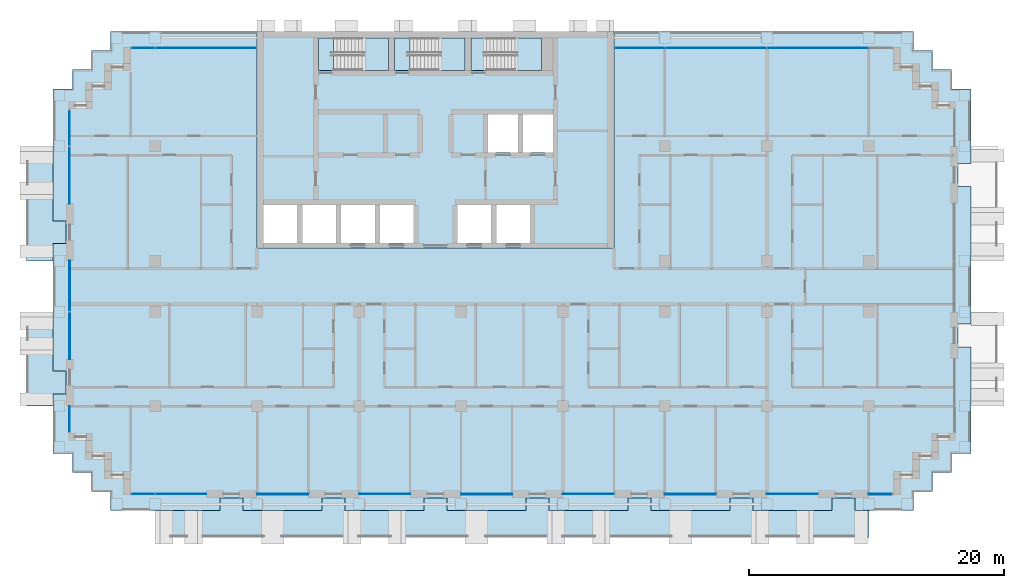
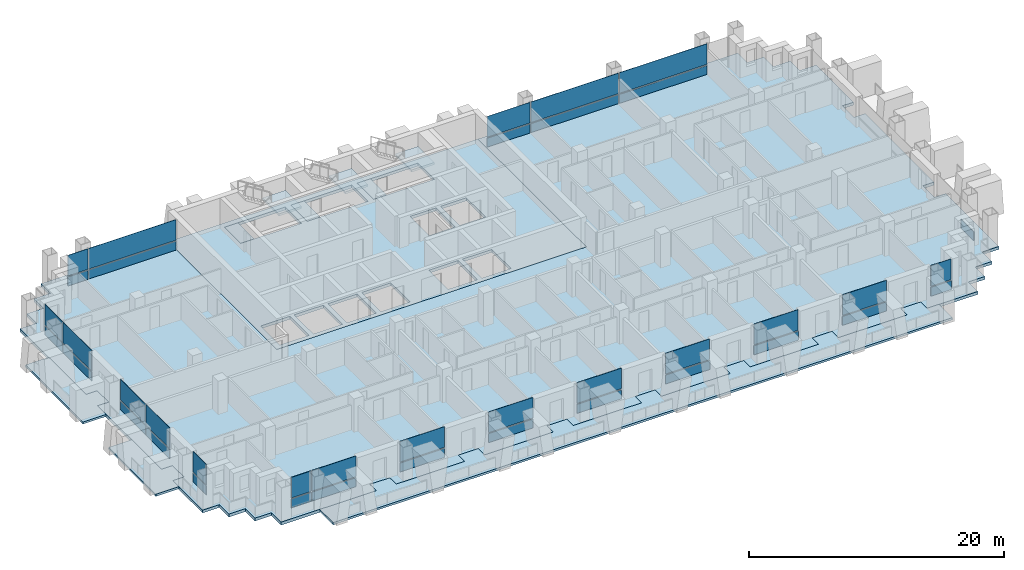
# One storey, part 6 of 17: 39 plates, 11 slabs, 17 elements without a shape of their own.
"""IFC4 building model written with IfcOpenShell, lengths in metres."""

from ifc_helpers import new_model, si_unit, direction, frame, origin, origin_2d, place, context, subcontext, project, spatial, polyline, rectangle, outline, extrude, material, layer, layer_set, type_object, element, aggregate, save


model = new_model("IFC4")

# Units and contexts
model_context = context("Model", 3, precision=1e-05, world=origin(), true_north=direction((0.0, 1.0)))
body_context = subcontext(model_context, "Body", "Model", "MODEL_VIEW")
ifc_project = project(units=[si_unit("LENGTHUNIT", "METRE"), si_unit("AREAUNIT", "SQUARE_METRE"), si_unit("VOLUMEUNIT", "CUBIC_METRE"), si_unit("PLANEANGLEUNIT", "RADIAN"), si_unit("MASSUNIT", "GRAM", prefix="KILO")], contexts=[model_context])

# Site, building, storey
site_placement = place(None, origin())
site = spatial("IfcSite", under=ifc_project, at=site_placement, CompositionType="ELEMENT")
building_placement = place(site_placement, origin())
building = spatial("IfcBuilding", under=site, at=building_placement, Name="Vidyagriha Tower", CompositionType="ELEMENT")
storey_placement = place(building_placement, frame((0.0, 0.0, 77.5)))
storey = spatial("IfcBuildingStorey", under=building, at=storey_placement, Name="L19", CompositionType="ELEMENT", Elevation=77.5)

# Curtain wall, plate
ifc_material_1 = material(Name="Aluminium and glass curtain wall", Category="aluminium")
curtain_wall_type = type_object("IfcCurtainWallType", Name="Dwelling skin unitised curtain wall", PredefinedType="USERDEFINED", material=ifc_material_1)
curtain_wall_1_placement = place(storey_placement, origin())
curtain_wall_1 = element("IfcCurtainWall", 1, at=curtain_wall_1_placement, inside=storey, type_object=curtain_wall_type, Name="CW1 dwelling skin", ObjectType="UNITISED", PredefinedType="USERDEFINED")
ifc_material_2 = material(Name="Glass dark ceramic-fritted spandrel", Category="glass")
ifc_layer_1 = layer(ifc_material_2, 0.0400390625)
ifc_layer_set_1 = layer_set([ifc_layer_1], Name="Glass dark ceramic-fritted spandrel")
plate_type_1 = type_object("IfcPlateType", Name="Ceramic-fritted spandrel panel", PredefinedType="CURTAIN_PANEL", material=ifc_layer_set_1)
plate_1_placement = place(storey_placement, frame((22.0, 18.699951171875, 0.0), z_axis=(0.0, 0.0, 1.0), x_axis=(-1.0, 0.0, 0.0)))
plate_1 = element("IfcPlate", 2, at=plate_1_placement, type_object=plate_type_1, Name="CW1 panel 3.1", PredefinedType="CURTAIN_PANEL", context=body_context, shape_type="SweptSolid", body=[
    extrude(rectangle(XDim=7.929931640625, YDim=0.0400390625, at=origin_2d()), origin(), (0.0, 0.0, 1.0), 0.85009765625),
])

curtain_wall_2_placement = place(storey_placement, origin())
curtain_wall_2 = element("IfcCurtainWall", 3, at=curtain_wall_2_placement, inside=storey, type_object=curtain_wall_type, Name="CW1 dwelling skin", ObjectType="UNITISED", PredefinedType="USERDEFINED")
plate_2_placement = place(storey_placement, frame((-18.017578125, 18.699951171875, 0.0), z_axis=(0.0, 0.0, 1.0), x_axis=(-1.0, 0.0, 0.0)))
plate_2 = element("IfcPlate", 4, at=plate_2_placement, type_object=plate_type_1, Name="CW1 panel 1.1", PredefinedType="CURTAIN_PANEL", context=body_context, shape_type="SweptSolid", body=[
    extrude(rectangle(XDim=7.89501953125, YDim=0.0400390625, at=origin_2d()), origin(), (0.0, 0.0, 1.0), 0.85009765625),
])

# Curtain wall, plates
curtain_wall_3_placement = place(storey_placement, origin())
curtain_wall_3 = element("IfcCurtainWall", 5, at=curtain_wall_3_placement, inside=storey, type_object=curtain_wall_type, Name="CW1 dwelling skin", ObjectType="UNITISED", PredefinedType="USERDEFINED")
plate_3_placement = place(storey_placement, frame((-28.699951171875, 12.4326171875, 0.0), z_axis=(0.0, 0.0, 1.0), x_axis=(0.0, -1.0, 0.0)))
plate_3 = element("IfcPlate", 6, at=plate_3_placement, type_object=plate_type_1, Name="CW1 panel 1.1", PredefinedType="CURTAIN_PANEL", context=body_context, shape_type="SweptSolid", body=[
    extrude(rectangle(XDim=2.794921875, YDim=0.0400390625, at=origin_2d()), origin(), (0.0, 0.0, 1.0), 0.85009765625),
])
plate_4_placement = place(storey_placement, frame((-28.699951171875, 8.732421875, 0.0), z_axis=(0.0, 0.0, 1.0), x_axis=(0.0, -1.0, 0.0)))
plate_4 = element("IfcPlate", 7, at=plate_4_placement, type_object=plate_type_1, Name="CW1 panel 2.1", PredefinedType="CURTAIN_PANEL", context=body_context, shape_type="SweptSolid", body=[
    extrude(rectangle(XDim=4.465087890625, YDim=0.0400390625, at=origin_2d()), origin(), (0.0, 0.0, 1.0), 0.85009765625),
])

# Curtain wall, plate
curtain_wall_4_placement = place(storey_placement, origin())
curtain_wall_4 = element("IfcCurtainWall", 8, at=curtain_wall_4_placement, inside=storey, type_object=curtain_wall_type, Name="CW1 dwelling skin", ObjectType="UNITISED", PredefinedType="USERDEFINED")
plate_5_placement = place(storey_placement, frame((-28.699951171875, -10.4150390625, 0.0), z_axis=(0.0, 0.0, 1.0), x_axis=(0.0, -1.0, 0.0)))
plate_5 = element("IfcPlate", 9, at=plate_5_placement, type_object=plate_type_1, Name="CW1 panel 1.1", PredefinedType="CURTAIN_PANEL", context=body_context, shape_type="SweptSolid", body=[
    extrude(rectangle(XDim=2.030029296875, YDim=0.0400390625, at=origin_2d()), origin(), (0.0, 0.0, 1.0), 0.85009765625),
])

# Curtain wall, plates
curtain_wall_5_placement = place(storey_placement, origin())
curtain_wall_5 = element("IfcCurtainWall", 10, at=curtain_wall_5_placement, inside=storey, type_object=curtain_wall_type, Name="CW1 dwelling skin", ObjectType="UNITISED", PredefinedType="USERDEFINED")
plate_6_placement = place(storey_placement, frame((-22.9326171875, -16.300048828125, 0.0)))
plate_6 = element("IfcPlate", 11, at=plate_6_placement, type_object=plate_type_1, Name="CW1 panel 1.1", PredefinedType="CURTAIN_PANEL", context=body_context, shape_type="SweptSolid", body=[
    extrude(rectangle(XDim=1.794921875, YDim=0.0400390625, at=origin_2d()), origin(), (0.0, 0.0, 1.0), 0.85009765625),
])
plate_7_placement = place(storey_placement, frame((-19.982421875, -16.300048828125, 0.0)))
plate_7 = element("IfcPlate", 12, at=plate_7_placement, type_object=plate_type_1, Name="CW1 panel 2.1", PredefinedType="CURTAIN_PANEL", context=body_context, shape_type="SweptSolid", body=[
    extrude(rectangle(XDim=3.965087890625, YDim=0.0400390625, at=origin_2d()), origin(), (0.0, 0.0, 1.0), 0.85009765625),
])

# Curtain wall, plate
curtain_wall_6_placement = place(storey_placement, origin())
curtain_wall_6 = element("IfcCurtainWall", 13, at=curtain_wall_6_placement, inside=storey, type_object=curtain_wall_type, Name="CW1 dwelling skin", ObjectType="UNITISED", PredefinedType="USERDEFINED")
plate_8_placement = place(storey_placement, frame((-4.0, -16.300048828125, 0.0)))
plate_8 = element("IfcPlate", 14, at=plate_8_placement, type_object=plate_type_1, Name="CW1 panel 1.1", PredefinedType="CURTAIN_PANEL", context=body_context, shape_type="SweptSolid", body=[
    extrude(rectangle(XDim=4.0, YDim=0.0400390625, at=origin_2d()), origin(), (0.0, 0.0, 1.0), 0.85009765625),
])

curtain_wall_7_placement = place(storey_placement, origin())
curtain_wall_7 = element("IfcCurtainWall", 15, at=curtain_wall_7_placement, inside=storey, type_object=curtain_wall_type, Name="CW1 dwelling skin", ObjectType="UNITISED", PredefinedType="USERDEFINED")
plate_9_placement = place(storey_placement, frame((12.0, -16.300048828125, 0.0)))
plate_9 = element("IfcPlate", 16, at=plate_9_placement, type_object=plate_type_1, Name="CW1 panel 1.1", PredefinedType="CURTAIN_PANEL", context=body_context, shape_type="SweptSolid", body=[
    extrude(rectangle(XDim=4.0, YDim=0.0400390625, at=origin_2d()), origin(), (0.0, 0.0, 1.0), 0.85009765625),
])

curtain_wall_8_placement = place(storey_placement, origin())
curtain_wall_8 = element("IfcCurtainWall", 17, at=curtain_wall_8_placement, inside=storey, type_object=curtain_wall_type, Name="CW1 dwelling skin", ObjectType="UNITISED", PredefinedType="USERDEFINED")
plate_10_placement = place(storey_placement, frame((28.0, -16.300048828125, 0.0)))
plate_10 = element("IfcPlate", 18, at=plate_10_placement, type_object=plate_type_1, Name="CW1 panel 1.1", PredefinedType="CURTAIN_PANEL", context=body_context, shape_type="SweptSolid", body=[
    extrude(rectangle(XDim=4.0, YDim=0.0400390625, at=origin_2d()), origin(), (0.0, 0.0, 1.0), 0.85009765625),
])

curtain_wall_9_placement = place(storey_placement, origin())
curtain_wall_9 = element("IfcCurtainWall", 19, at=curtain_wall_9_placement, inside=storey, type_object=curtain_wall_type, Name="CW1 dwelling skin", ObjectType="UNITISED", PredefinedType="USERDEFINED")
plate_11_placement = place(storey_placement, frame((40.699951171875, -10.4326171875, 0.0), z_axis=(0.0, 0.0, 1.0), x_axis=(0.0, 1.0, 0.0)))
plate_11 = element("IfcPlate", 20, at=plate_11_placement, type_object=plate_type_1, Name="CW1 panel 1.1", PredefinedType="CURTAIN_PANEL", context=body_context, shape_type="SweptSolid", body=[
    extrude(rectangle(XDim=1.9951171875, YDim=0.0400390625, at=origin_2d()), origin(), (0.0, 0.0, 1.0), 0.85009765625),
])
aggregate(curtain_wall_9, [plate_11])

# Slab
ifc_material_3 = material(Name="Concrete C60/75", Category="concrete")
ifc_layer_2 = layer(ifc_material_3, 0.280029296875)
ifc_layer_set_2 = layer_set([ifc_layer_2], Name="Concrete C60/75")
slab_type_1 = type_object("IfcSlabType", Name="Core floor slab 280 mm", PredefinedType="FLOOR", material=ifc_layer_set_2)
slab_1_placement = place(storey_placement, frame((0.0, 0.0, -0.280029296875)))
element("IfcSlab", 21, at=slab_1_placement, inside=storey, type_object=slab_type_1, Name="L19 core floor 1", PredefinedType="FLOOR", context=body_context, shape_type="SweptSolid", body=[
    extrude(outline(polyline([(-14.0, 3.0), (-14.0, 20.0), (14.0, 20.0), (14.0, 3.0), (-14.0, 3.0)]), holes=[polyline([(9.199951171875, 13.5), (6.86669921875, 13.5), (6.86669921875, 10.5), (9.199951171875, 10.5), (9.199951171875, 13.5)]), polyline([(4.0, 19.5), (2.800048828125, 19.5), (2.800048828125, 16.949951171875), (4.0, 16.949951171875), (8.300048828125, 16.949951171875), (8.300048828125, 19.5), (4.0, 19.5)]), polyline([(7.4111328125, 6.39990234375), (4.7666015625, 6.39990234375), (4.7666015625, 3.39990234375), (7.4111328125, 3.39990234375), (7.4111328125, 6.39990234375)]), polyline([(6.466796875, 13.5), (4.13330078125, 13.5), (4.13330078125, 10.5), (6.466796875, 10.5), (6.466796875, 13.5)]), polyline([(1.72216796875, 6.39990234375), (1.72216796875, 3.39990234375), (4.36669921875, 3.39990234375), (4.36669921875, 6.39990234375), (1.72216796875, 6.39990234375)]), polyline([(-2.0, 16.949951171875), (2.300048828125, 16.949951171875), (2.300048828125, 19.5), (-2.0, 19.5), (-3.199951171875, 19.5), (-3.199951171875, 16.949951171875), (-2.0, 16.949951171875)]), polyline([(-1.72216796875, 6.39990234375), (-4.36669921875, 6.39990234375), (-4.36669921875, 3.39990234375), (-1.72216796875, 3.39990234375), (-1.72216796875, 6.39990234375)]), polyline([(-8.0, 19.5), (-9.199951171875, 19.5), (-9.199951171875, 16.949951171875), (-8.0, 16.949951171875), (-3.699951171875, 16.949951171875), (-3.699951171875, 19.5), (-8.0, 19.5)]), polyline([(-4.7666015625, 6.39990234375), (-7.4111328125, 6.39990234375), (-7.4111328125, 3.39990234375), (-4.7666015625, 3.39990234375), (-4.7666015625, 6.39990234375)]), polyline([(-7.81103515625, 6.39990234375), (-10.45556640625, 6.39990234375), (-10.45556640625, 3.39990234375), (-7.81103515625, 3.39990234375), (-7.81103515625, 6.39990234375)]), polyline([(-13.5, 6.39990234375), (-13.5, 3.39990234375), (-10.855712890625, 3.39990234375), (-10.855712890625, 6.39990234375), (-13.5, 6.39990234375)])]), origin(), (0.0, 0.0, 1.0), 0.280029296875),
])

# Plate
ifc_material_4 = material(Name="Glass dark ceramic-fritted", Category="glass")
ifc_layer_3 = layer(ifc_material_4, 0.028076171875)
ifc_layer_set_3 = layer_set([ifc_layer_3], Name="Glass dark ceramic-fritted")
plate_type_2 = type_object("IfcPlateType", Name="Dark ceramic-fritted vision glass panel", PredefinedType="CURTAIN_PANEL", material=ifc_layer_set_3)
plate_12_placement = place(storey_placement, frame((30.0, 18.699951171875, 0.9501953125), z_axis=(0.0, 0.0, 1.0), x_axis=(-1.0, 0.0, 0.0)))
plate_12 = element("IfcPlate", 22, at=plate_12_placement, type_object=plate_type_2, Name="CW1 panel 2.2", PredefinedType="CURTAIN_PANEL", context=body_context, shape_type="SweptSolid", body=[
    extrude(rectangle(XDim=7.929931640625, YDim=0.028076171875, at=origin_2d()), origin(), (0.0, 0.0, 1.0), 1.969970703125),
])

plate_13_placement = place(storey_placement, frame((22.0, 18.699951171875, 0.9501953125), z_axis=(0.0, 0.0, 1.0), x_axis=(-1.0, 0.0, 0.0)))
plate_13 = element("IfcPlate", 23, at=plate_13_placement, type_object=plate_type_2, Name="CW1 panel 3.2", PredefinedType="CURTAIN_PANEL", context=body_context, shape_type="SweptSolid", body=[
    extrude(rectangle(XDim=7.929931640625, YDim=0.028076171875, at=origin_2d()), origin(), (0.0, 0.0, 1.0), 1.969970703125),
])

plate_14_placement = place(storey_placement, frame((16.017578125, 18.699951171875, 0.9501953125), z_axis=(0.0, 0.0, 1.0), x_axis=(-1.0, 0.0, 0.0)))
plate_14 = element("IfcPlate", 24, at=plate_14_placement, type_object=plate_type_2, Name="CW1 panel 4.2", PredefinedType="CURTAIN_PANEL", context=body_context, shape_type="SweptSolid", body=[
    extrude(rectangle(XDim=3.89501953125, YDim=0.028076171875, at=origin_2d()), origin(), (0.0, 0.0, 1.0), 1.969970703125),
])

plate_15_placement = place(storey_placement, frame((-18.017578125, 18.699951171875, 0.9501953125), z_axis=(0.0, 0.0, 1.0), x_axis=(-1.0, 0.0, 0.0)))
plate_15 = element("IfcPlate", 25, at=plate_15_placement, type_object=plate_type_2, Name="CW1 panel 1.2", PredefinedType="CURTAIN_PANEL", context=body_context, shape_type="SweptSolid", body=[
    extrude(rectangle(XDim=7.89501953125, YDim=0.028076171875, at=origin_2d()), origin(), (0.0, 0.0, 1.0), 1.969970703125),
])

plate_16_placement = place(storey_placement, frame((-22.9326171875, 18.699951171875, 0.9501953125), z_axis=(0.0, 0.0, 1.0), x_axis=(-1.0, 0.0, 0.0)))
plate_16 = element("IfcPlate", 26, at=plate_16_placement, type_object=plate_type_2, Name="CW1 panel 2.2", PredefinedType="CURTAIN_PANEL", context=body_context, shape_type="SweptSolid", body=[
    extrude(rectangle(XDim=1.794921875, YDim=0.028076171875, at=origin_2d()), origin(), (0.0, 0.0, 1.0), 1.969970703125),
])

plate_17_placement = place(storey_placement, frame((-28.699951171875, 12.4326171875, 0.9501953125), z_axis=(0.0, 0.0, 1.0), x_axis=(0.0, -1.0, 0.0)))
plate_17 = element("IfcPlate", 27, at=plate_17_placement, type_object=plate_type_2, Name="CW1 panel 1.2", PredefinedType="CURTAIN_PANEL", context=body_context, shape_type="SweptSolid", body=[
    extrude(rectangle(XDim=2.794921875, YDim=0.028076171875, at=origin_2d()), origin(), (0.0, 0.0, 1.0), 1.969970703125),
])

plate_18_placement = place(storey_placement, frame((-28.699951171875, 8.732421875, 0.9501953125), z_axis=(0.0, 0.0, 1.0), x_axis=(0.0, -1.0, 0.0)))
plate_18 = element("IfcPlate", 28, at=plate_18_placement, type_object=plate_type_2, Name="CW1 panel 2.2", PredefinedType="CURTAIN_PANEL", context=body_context, shape_type="SweptSolid", body=[
    extrude(rectangle(XDim=4.465087890625, YDim=0.028076171875, at=origin_2d()), origin(), (0.0, 0.0, 1.0), 1.969970703125),
])

aggregate(curtain_wall_3, [plate_3, plate_17, plate_4, plate_18])

# Curtain wall, plates
curtain_wall_10_placement = place(storey_placement, origin())
curtain_wall_10 = element("IfcCurtainWall", 29, at=curtain_wall_10_placement, inside=storey, type_object=curtain_wall_type, Name="CW1 dwelling skin", ObjectType="UNITISED", PredefinedType="USERDEFINED")
plate_19_placement = place(storey_placement, frame((-28.699951171875, 0.017578125, 0.9501953125), z_axis=(0.0, 0.0, 1.0), x_axis=(0.0, -1.0, 0.0)))
plate_19 = element("IfcPlate", 30, at=plate_19_placement, type_object=plate_type_2, Name="CW1 panel 1.2", PredefinedType="CURTAIN_PANEL", context=body_context, shape_type="SweptSolid", body=[
    extrude(rectangle(XDim=3.965087890625, YDim=0.028076171875, at=origin_2d()), origin(), (0.0, 0.0, 1.0), 1.969970703125),
])
plate_20_placement = place(storey_placement, frame((-28.699951171875, -3.867431640625, 0.9501953125), z_axis=(0.0, 0.0, 1.0), x_axis=(0.0, -1.0, 0.0)))
plate_20 = element("IfcPlate", 31, at=plate_20_placement, type_object=plate_type_2, Name="CW1 panel 2.2", PredefinedType="CURTAIN_PANEL", context=body_context, shape_type="SweptSolid", body=[
    extrude(rectangle(XDim=3.6650390625, YDim=0.028076171875, at=origin_2d()), origin(), (0.0, 0.0, 1.0), 1.969970703125),
])

# Plate
plate_21_placement = place(storey_placement, frame((-28.699951171875, -10.4150390625, 0.9501953125), z_axis=(0.0, 0.0, 1.0), x_axis=(0.0, -1.0, 0.0)))
plate_21 = element("IfcPlate", 32, at=plate_21_placement, type_object=plate_type_2, Name="CW1 panel 1.2", PredefinedType="CURTAIN_PANEL", context=body_context, shape_type="SweptSolid", body=[
    extrude(rectangle(XDim=2.030029296875, YDim=0.028076171875, at=origin_2d()), origin(), (0.0, 0.0, 1.0), 1.969970703125),
])

aggregate(curtain_wall_4, [plate_5, plate_21])

plate_22_placement = place(storey_placement, frame((-22.9326171875, -16.300048828125, 0.9501953125)))
plate_22 = element("IfcPlate", 33, at=plate_22_placement, type_object=plate_type_2, Name="CW1 panel 1.2", PredefinedType="CURTAIN_PANEL", context=body_context, shape_type="SweptSolid", body=[
    extrude(rectangle(XDim=1.794921875, YDim=0.028076171875, at=origin_2d()), origin(), (0.0, 0.0, 1.0), 1.969970703125),
])

plate_23_placement = place(storey_placement, frame((-19.982421875, -16.300048828125, 0.9501953125)))
plate_23 = element("IfcPlate", 34, at=plate_23_placement, type_object=plate_type_2, Name="CW1 panel 2.2", PredefinedType="CURTAIN_PANEL", context=body_context, shape_type="SweptSolid", body=[
    extrude(rectangle(XDim=3.965087890625, YDim=0.028076171875, at=origin_2d()), origin(), (0.0, 0.0, 1.0), 1.969970703125),
])

aggregate(curtain_wall_5, [plate_6, plate_22, plate_7, plate_23])

# Curtain wall, plate
curtain_wall_11_placement = place(storey_placement, origin())
curtain_wall_11 = element("IfcCurtainWall", 35, at=curtain_wall_11_placement, inside=storey, type_object=curtain_wall_type, Name="CW1 dwelling skin", ObjectType="UNITISED", PredefinedType="USERDEFINED")
plate_24_placement = place(storey_placement, frame((-12.0, -16.300048828125, 0.9501953125)))
plate_24 = element("IfcPlate", 36, at=plate_24_placement, type_object=plate_type_2, Name="CW1 panel 1.2", PredefinedType="CURTAIN_PANEL", context=body_context, shape_type="SweptSolid", body=[
    extrude(rectangle(XDim=4.0, YDim=0.028076171875, at=origin_2d()), origin(), (0.0, 0.0, 1.0), 1.969970703125),
])

# Plate
plate_25_placement = place(storey_placement, frame((-4.0, -16.300048828125, 0.9501953125)))
plate_25 = element("IfcPlate", 37, at=plate_25_placement, type_object=plate_type_2, Name="CW1 panel 1.2", PredefinedType="CURTAIN_PANEL", context=body_context, shape_type="SweptSolid", body=[
    extrude(rectangle(XDim=4.0, YDim=0.028076171875, at=origin_2d()), origin(), (0.0, 0.0, 1.0), 1.969970703125),
])

aggregate(curtain_wall_6, [plate_8, plate_25])

# Curtain wall, plate
curtain_wall_12_placement = place(storey_placement, origin())
curtain_wall_12 = element("IfcCurtainWall", 38, at=curtain_wall_12_placement, inside=storey, type_object=curtain_wall_type, Name="CW1 dwelling skin", ObjectType="UNITISED", PredefinedType="USERDEFINED")
plate_26_placement = place(storey_placement, frame((4.0, -16.300048828125, 0.9501953125)))
plate_26 = element("IfcPlate", 39, at=plate_26_placement, type_object=plate_type_2, Name="CW1 panel 1.2", PredefinedType="CURTAIN_PANEL", context=body_context, shape_type="SweptSolid", body=[
    extrude(rectangle(XDim=4.0, YDim=0.028076171875, at=origin_2d()), origin(), (0.0, 0.0, 1.0), 1.969970703125),
])

# Plate
plate_27_placement = place(storey_placement, frame((12.0, -16.300048828125, 0.9501953125)))
plate_27 = element("IfcPlate", 40, at=plate_27_placement, type_object=plate_type_2, Name="CW1 panel 1.2", PredefinedType="CURTAIN_PANEL", context=body_context, shape_type="SweptSolid", body=[
    extrude(rectangle(XDim=4.0, YDim=0.028076171875, at=origin_2d()), origin(), (0.0, 0.0, 1.0), 1.969970703125),
])

aggregate(curtain_wall_7, [plate_9, plate_27])

# Curtain wall, plate
curtain_wall_13_placement = place(storey_placement, origin())
curtain_wall_13 = element("IfcCurtainWall", 41, at=curtain_wall_13_placement, inside=storey, type_object=curtain_wall_type, Name="CW1 dwelling skin", ObjectType="UNITISED", PredefinedType="USERDEFINED")
plate_28_placement = place(storey_placement, frame((20.0, -16.300048828125, 0.9501953125)))
plate_28 = element("IfcPlate", 42, at=plate_28_placement, type_object=plate_type_2, Name="CW1 panel 1.2", PredefinedType="CURTAIN_PANEL", context=body_context, shape_type="SweptSolid", body=[
    extrude(rectangle(XDim=4.0, YDim=0.028076171875, at=origin_2d()), origin(), (0.0, 0.0, 1.0), 1.969970703125),
])

# Plate
plate_29_placement = place(storey_placement, frame((28.0, -16.300048828125, 0.9501953125)))
plate_29 = element("IfcPlate", 43, at=plate_29_placement, type_object=plate_type_2, Name="CW1 panel 1.2", PredefinedType="CURTAIN_PANEL", context=body_context, shape_type="SweptSolid", body=[
    extrude(rectangle(XDim=4.0, YDim=0.028076171875, at=origin_2d()), origin(), (0.0, 0.0, 1.0), 1.969970703125),
])

aggregate(curtain_wall_8, [plate_10, plate_29])

# Curtain wall, plate
curtain_wall_14_placement = place(storey_placement, origin())
curtain_wall_14 = element("IfcCurtainWall", 44, at=curtain_wall_14_placement, inside=storey, type_object=curtain_wall_type, Name="CW1 dwelling skin", ObjectType="UNITISED", PredefinedType="USERDEFINED")
plate_30_placement = place(storey_placement, frame((34.9150390625, -16.300048828125, 0.9501953125)))
plate_30 = element("IfcPlate", 45, at=plate_30_placement, type_object=plate_type_2, Name="CW1 panel 1.2", PredefinedType="CURTAIN_PANEL", context=body_context, shape_type="SweptSolid", body=[
    extrude(rectangle(XDim=1.830078125, YDim=0.028076171875, at=origin_2d()), origin(), (0.0, 0.0, 1.0), 1.969970703125),
])

# Slabs
ifc_material_5 = material(Name="Concrete C40/50", Category="concrete")
ifc_layer_4 = layer(ifc_material_5, 0.280029296875)
ifc_layer_set_4 = layer_set([ifc_layer_4], Name="Concrete C40/50")
slab_type_2 = type_object("IfcSlabType", Name="Exit stair floor landing 280 mm", PredefinedType="LANDING", material=ifc_layer_set_4)
slab_2_placement = place(storey_placement, frame((0.0, 0.0, -0.280029296875)))
element("IfcSlab", 46, at=slab_2_placement, inside=storey, type_object=slab_type_2, Name="ST1 floor landing L19", PredefinedType="LANDING", context=body_context, shape_type="SweptSolid", body=[
    extrude(outline(polyline([(-9.199951171875, 16.949951171875), (-8.0, 16.949951171875), (-8.0, 19.5), (-9.199951171875, 19.5), (-9.199951171875, 16.949951171875)])), origin(), (0.0, 0.0, 1.0), 0.280029296875),
])
slab_3_placement = place(storey_placement, frame((0.0, 0.0, -0.280029296875)))
element("IfcSlab", 47, at=slab_3_placement, inside=storey, type_object=slab_type_2, Name="ST2 floor landing L19", PredefinedType="LANDING", context=body_context, shape_type="SweptSolid", body=[
    extrude(outline(polyline([(-3.199951171875, 16.949951171875), (-2.0, 16.949951171875), (-2.0, 19.5), (-3.199951171875, 19.5), (-3.199951171875, 16.949951171875)])), origin(), (0.0, 0.0, 1.0), 0.280029296875),
])
slab_4_placement = place(storey_placement, frame((0.0, 0.0, -0.280029296875)))
element("IfcSlab", 48, at=slab_4_placement, inside=storey, type_object=slab_type_2, Name="ST3 floor landing L19", PredefinedType="LANDING", context=body_context, shape_type="SweptSolid", body=[
    extrude(outline(polyline([(2.800048828125, 16.949951171875), (4.0, 16.949951171875), (4.0, 19.5), (2.800048828125, 19.5), (2.800048828125, 16.949951171875)])), origin(), (0.0, 0.0, 1.0), 0.280029296875),
])

# Stair, slab
ifc_material_6 = material(Name="Concrete C40/50", Category="concrete")
stair_type = type_object("IfcStairType", Name="Exit stair, half-turn, precast flights", PredefinedType="HALF_TURN_STAIR", material=ifc_material_6)
stair_1_placement = place(storey_placement, origin())
stair_1 = element("IfcStair", 49, at=stair_1_placement, inside=storey, type_object=stair_type, Name="L19 Exit Stair ST1", PredefinedType="HALF_TURN_STAIR")
ifc_material_7 = material(Name="Concrete C40/50", Category="concrete")
ifc_layer_5 = layer(ifc_material_7, 0.199951171875)
ifc_layer_set_5 = layer_set([ifc_layer_5], Name="Concrete C40/50")
slab_type_3 = type_object("IfcSlabType", Name="Exit stair landing 200 mm", PredefinedType="LANDING", material=ifc_layer_set_5)
slab_5_placement = place(storey_placement, frame((0.0, 0.0, 1.39990234375)))
slab_5 = element("IfcSlab", 50, at=slab_5_placement, type_object=slab_type_3, Name="ST1 landing 1", PredefinedType="LANDING", context=body_context, shape_type="SweptSolid", body=[
    extrude(outline(polyline([(-5.760009765625, 16.949951171875), (-3.699951171875, 16.949951171875), (-3.699951171875, 19.5), (-5.760009765625, 19.5), (-5.760009765625, 16.949951171875)])), origin(), (0.0, 0.0, 1.0), 0.2001953125),
])
aggregate(stair_1, [slab_5])

stair_2_placement = place(storey_placement, origin())
stair_2 = element("IfcStair", 51, at=stair_2_placement, inside=storey, type_object=stair_type, Name="L19 Exit Stair ST2", PredefinedType="HALF_TURN_STAIR")
slab_6_placement = place(storey_placement, frame((0.0, 0.0, 1.39990234375)))
slab_6 = element("IfcSlab", 52, at=slab_6_placement, type_object=slab_type_3, Name="ST2 landing 1", PredefinedType="LANDING", context=body_context, shape_type="SweptSolid", body=[
    extrude(outline(polyline([(0.239990234375, 16.949951171875), (2.300048828125, 16.949951171875), (2.300048828125, 19.5), (0.239990234375, 19.5), (0.239990234375, 16.949951171875)])), origin(), (0.0, 0.0, 1.0), 0.2001953125),
])
aggregate(stair_2, [slab_6])

stair_3_placement = place(storey_placement, origin())
stair_3 = element("IfcStair", 53, at=stair_3_placement, inside=storey, type_object=stair_type, Name="L19 Exit Stair ST3", PredefinedType="HALF_TURN_STAIR")
slab_7_placement = place(storey_placement, frame((0.0, 0.0, 1.39990234375)))
slab_7 = element("IfcSlab", 54, at=slab_7_placement, type_object=slab_type_3, Name="ST3 landing 1", PredefinedType="LANDING", context=body_context, shape_type="SweptSolid", body=[
    extrude(outline(polyline([(6.239990234375, 16.949951171875), (8.300048828125, 16.949951171875), (8.300048828125, 19.5), (6.239990234375, 19.5), (6.239990234375, 16.949951171875)])), origin(), (0.0, 0.0, 1.0), 0.2001953125),
])
aggregate(stair_3, [slab_7])

# Plate
ifc_material_8 = material(Name="Aluminium black anodised", Category="aluminium")
ifc_layer_6 = layer(ifc_material_8, 0.06005859375)
ifc_layer_set_6 = layer_set([ifc_layer_6], Name="Aluminium black anodised")
plate_type_3 = type_object("IfcPlateType", Name="Operable black-metal vent panel", PredefinedType="CURTAIN_PANEL", material=ifc_layer_set_6)
plate_31_placement = place(storey_placement, frame((30.0, 18.699951171875, 0.0), z_axis=(0.0, 0.0, 1.0), x_axis=(-1.0, 0.0, 0.0)))
plate_31 = element("IfcPlate", 55, at=plate_31_placement, type_object=plate_type_3, Name="CW1 panel 2.1", PredefinedType="CURTAIN_PANEL", context=body_context, shape_type="SweptSolid", body=[
    extrude(rectangle(XDim=7.929931640625, YDim=0.06005859375, at=origin_2d()), origin(), (0.0, 0.0, 1.0), 0.85009765625),
])

plate_32_placement = place(storey_placement, frame((16.017578125, 18.699951171875, 0.0), z_axis=(0.0, 0.0, 1.0), x_axis=(-1.0, 0.0, 0.0)))
plate_32 = element("IfcPlate", 56, at=plate_32_placement, type_object=plate_type_3, Name="CW1 panel 4.1", PredefinedType="CURTAIN_PANEL", context=body_context, shape_type="SweptSolid", body=[
    extrude(rectangle(XDim=3.89501953125, YDim=0.06005859375, at=origin_2d()), origin(), (0.0, 0.0, 1.0), 0.85009765625),
])

aggregate(curtain_wall_1, [plate_31, plate_12, plate_1, plate_13, plate_32, plate_14])

plate_33_placement = place(storey_placement, frame((-22.9326171875, 18.699951171875, 0.0), z_axis=(0.0, 0.0, 1.0), x_axis=(-1.0, 0.0, 0.0)))
plate_33 = element("IfcPlate", 57, at=plate_33_placement, type_object=plate_type_3, Name="CW1 panel 2.1", PredefinedType="CURTAIN_PANEL", context=body_context, shape_type="SweptSolid", body=[
    extrude(rectangle(XDim=1.794921875, YDim=0.06005859375, at=origin_2d()), origin(), (0.0, 0.0, 1.0), 0.85009765625),
])

aggregate(curtain_wall_2, [plate_2, plate_15, plate_33, plate_16])

plate_34_placement = place(storey_placement, frame((-28.699951171875, 0.017578125, 0.0), z_axis=(0.0, 0.0, 1.0), x_axis=(0.0, -1.0, 0.0)))
plate_34 = element("IfcPlate", 58, at=plate_34_placement, type_object=plate_type_3, Name="CW1 panel 1.1", PredefinedType="CURTAIN_PANEL", context=body_context, shape_type="SweptSolid", body=[
    extrude(rectangle(XDim=3.965087890625, YDim=0.06005859375, at=origin_2d()), origin(), (0.0, 0.0, 1.0), 0.85009765625),
])

plate_35_placement = place(storey_placement, frame((-28.699951171875, -3.867431640625, 0.0), z_axis=(0.0, 0.0, 1.0), x_axis=(0.0, -1.0, 0.0)))
plate_35 = element("IfcPlate", 59, at=plate_35_placement, type_object=plate_type_3, Name="CW1 panel 2.1", PredefinedType="CURTAIN_PANEL", context=body_context, shape_type="SweptSolid", body=[
    extrude(rectangle(XDim=3.6650390625, YDim=0.06005859375, at=origin_2d()), origin(), (0.0, 0.0, 1.0), 0.85009765625),
])

aggregate(curtain_wall_10, [plate_34, plate_19, plate_35, plate_20])

plate_36_placement = place(storey_placement, frame((-12.0, -16.300048828125, 0.0)))
plate_36 = element("IfcPlate", 60, at=plate_36_placement, type_object=plate_type_3, Name="CW1 panel 1.1", PredefinedType="CURTAIN_PANEL", context=body_context, shape_type="SweptSolid", body=[
    extrude(rectangle(XDim=4.0, YDim=0.06005859375, at=origin_2d()), origin(), (0.0, 0.0, 1.0), 0.85009765625),
])

aggregate(curtain_wall_11, [plate_36, plate_24])

plate_37_placement = place(storey_placement, frame((4.0, -16.300048828125, 0.0)))
plate_37 = element("IfcPlate", 61, at=plate_37_placement, type_object=plate_type_3, Name="CW1 panel 1.1", PredefinedType="CURTAIN_PANEL", context=body_context, shape_type="SweptSolid", body=[
    extrude(rectangle(XDim=4.0, YDim=0.06005859375, at=origin_2d()), origin(), (0.0, 0.0, 1.0), 0.85009765625),
])

aggregate(curtain_wall_12, [plate_37, plate_26])

plate_38_placement = place(storey_placement, frame((20.0, -16.300048828125, 0.0)))
plate_38 = element("IfcPlate", 62, at=plate_38_placement, type_object=plate_type_3, Name="CW1 panel 1.1", PredefinedType="CURTAIN_PANEL", context=body_context, shape_type="SweptSolid", body=[
    extrude(rectangle(XDim=4.0, YDim=0.06005859375, at=origin_2d()), origin(), (0.0, 0.0, 1.0), 0.85009765625),
])

aggregate(curtain_wall_13, [plate_38, plate_28])

plate_39_placement = place(storey_placement, frame((34.9150390625, -16.300048828125, 0.0)))
plate_39 = element("IfcPlate", 63, at=plate_39_placement, type_object=plate_type_3, Name="CW1 panel 1.1", PredefinedType="CURTAIN_PANEL", context=body_context, shape_type="SweptSolid", body=[
    extrude(rectangle(XDim=1.830078125, YDim=0.06005859375, at=origin_2d()), origin(), (0.0, 0.0, 1.0), 0.85009765625),
])

aggregate(curtain_wall_14, [plate_39, plate_30])

# Slabs
ifc_material_9 = material(Name="Concrete C50/60", Category="concrete")
ifc_layer_7 = layer(ifc_material_9, 0.280029296875)
ifc_layer_set_7 = layer_set([ifc_layer_7], Name="Concrete C50/60")
slab_type_4 = type_object("IfcSlabType", Name="Post-tensioned flat plate 280", PredefinedType="FLOOR", material=ifc_layer_set_7)
slab_8_placement = place(storey_placement, frame((0.0, 0.0, -0.280029296875)))
element("IfcSlab", 64, at=slab_8_placement, inside=storey, type_object=slab_type_4, Name="st-slab-L19-1", PredefinedType="FLOOR", context=body_context, shape_type="SweptSolid", body=[
    extrude(outline(polyline([(40.5, -14.60009765625), (39.0, -14.60009765625), (39.0, -16.10009765625), (37.5, -16.10009765625), (37.5, -17.60009765625), (32.89990234375, -17.60009765625), (32.89990234375, -16.60009765625), (31.10009765625, -16.60009765625), (31.10009765625, -17.60009765625), (24.89990234375, -17.60009765625), (24.89990234375, -16.60009765625), (23.10009765625, -16.60009765625), (23.10009765625, -17.60009765625), (16.89990234375, -17.60009765625), (16.89990234375, -16.60009765625), (15.10009765625, -16.60009765625), (15.10009765625, -17.60009765625), (8.89990234375, -17.60009765625), (8.89990234375, -16.60009765625), (7.10009765625, -16.60009765625), (7.10009765625, -17.60009765625), (0.89990234375, -17.60009765625), (0.89990234375, -16.60009765625), (-0.89990234375, -16.60009765625), (-0.89990234375, -17.60009765625), (-7.10009765625, -17.60009765625), (-7.10009765625, -16.60009765625), (-8.89990234375, -16.60009765625), (-8.89990234375, -17.60009765625), (-15.10009765625, -17.60009765625), (-15.10009765625, -16.60009765625), (-16.89990234375, -16.60009765625), (-16.89990234375, -17.60009765625), (-25.5, -17.60009765625), (-25.5, -16.10009765625), (-27.0, -16.10009765625), (-27.0, -14.60009765625), (-28.5, -14.60009765625), (-28.5, -13.10009765625), (-30.0, -13.10009765625), (-30.0, -8.449951171875), (-29.0, -8.449951171875), (-29.0, -6.64990234375), (-30.0, -6.64990234375), (-30.0, 3.35009765625), (-29.0, 3.35009765625), (-29.0, 5.14990234375), (-30.0, 5.14990234375), (-30.0, 15.5), (-28.5, 15.5), (-28.5, 17.0), (-27.0, 17.0), (-27.0, 18.5), (-25.5, 18.5), (-25.5, 20.0), (-14.0, 20.0), (-14.0, 3.0), (14.0, 3.0), (14.0, 20.0), (37.5, 20.0), (37.5, 18.5), (39.0, 18.5), (39.0, 17.0), (40.5, 17.0), (40.5, 15.5), (42.0, 15.5), (42.0, 9.64990234375), (41.0, 9.64990234375), (41.0, 7.85009765625), (42.0, 7.85009765625), (42.0, -2.949951171875), (41.0, -2.949951171875), (41.0, -4.75), (42.0, -4.75), (42.0, -13.10009765625), (40.5, -13.10009765625), (40.5, -14.60009765625)])), origin(), (0.0, 0.0, 1.0), 0.280029296875),
])
ifc_material_10 = material(Name="Precast concrete C40/50", Category="concrete")
ifc_layer_8 = layer(ifc_material_10, 0.199951171875)
ifc_layer_set_8 = layer_set([ifc_layer_8], Name="Precast concrete C40/50")
slab_type_5 = type_object("IfcSlabType", Name="Precast balcony slab 200", PredefinedType="USERDEFINED", material=ifc_layer_set_8)
slab_9_placement = place(storey_placement, frame((0.0, 0.0, -0.199951171875)))
element("IfcSlab", 65, at=slab_9_placement, inside=storey, type_object=slab_type_5, Name="Balcony slab L19 R16.1-1", ObjectType="BALCONY", PredefinedType="USERDEFINED", context=body_context, shape_type="SweptSolid", body=[
    extrude(outline(polyline([(-29.0, 3.35009765625), (-29.0, 5.14990234375), (-30.0, 5.14990234375), (-30.0, 11.0), (-32.10009765625, 11.0), (-32.10009765625, 2.0), (-30.0, 2.0), (-30.0, 3.35009765625), (-29.0, 3.35009765625)])), origin(), (0.0, 0.0, 1.0), 0.199951171875),
])
slab_10_placement = place(storey_placement, frame((0.0, 0.0, -0.199951171875)))
element("IfcSlab", 66, at=slab_10_placement, inside=storey, type_object=slab_type_5, Name="Balcony slab L19 R16.2-2", ObjectType="BALCONY", PredefinedType="USERDEFINED", context=body_context, shape_type="SweptSolid", body=[
    extrude(outline(polyline([(-29.0, -8.449951171875), (-29.0, -6.64990234375), (-30.0, -6.64990234375), (-30.0, -2.0), (-32.10009765625, -2.0), (-32.10009765625, -9.39990234375), (-30.0, -9.39990234375), (-30.0, -8.449951171875), (-29.0, -8.449951171875)])), origin(), (0.0, 0.0, 1.0), 0.199951171875),
])
slab_11_placement = place(storey_placement, frame((0.0, 0.0, -0.199951171875)))
element("IfcSlab", 67, at=slab_11_placement, inside=storey, type_object=slab_type_5, Name="Balcony slab L19 R23.1-7", ObjectType="BALCONY", PredefinedType="USERDEFINED", context=body_context, shape_type="SweptSolid", body=[
    extrude(outline(polyline([(-15.10009765625, -16.60009765625), (-16.89990234375, -16.60009765625), (-16.89990234375, -17.60009765625), (-22.0, -17.60009765625), (-22.0, -19.699951171875), (34.0, -19.699951171875), (34.0, -17.60009765625), (32.89990234375, -17.60009765625), (32.89990234375, -16.60009765625), (31.10009765625, -16.60009765625), (31.10009765625, -17.60009765625), (24.89990234375, -17.60009765625), (24.89990234375, -16.60009765625), (23.10009765625, -16.60009765625), (23.10009765625, -17.60009765625), (16.89990234375, -17.60009765625), (16.89990234375, -16.60009765625), (15.10009765625, -16.60009765625), (15.10009765625, -17.60009765625), (8.89990234375, -17.60009765625), (8.89990234375, -16.60009765625), (7.10009765625, -16.60009765625), (7.10009765625, -17.60009765625), (0.89990234375, -17.60009765625), (0.89990234375, -16.60009765625), (-0.89990234375, -16.60009765625), (-0.89990234375, -17.60009765625), (-7.10009765625, -17.60009765625), (-7.10009765625, -16.60009765625), (-8.89990234375, -16.60009765625), (-8.89990234375, -17.60009765625), (-15.10009765625, -17.60009765625), (-15.10009765625, -16.60009765625)])), origin(), (0.0, 0.0, 1.0), 0.199951171875),
])

save(model, "model.ifc")
